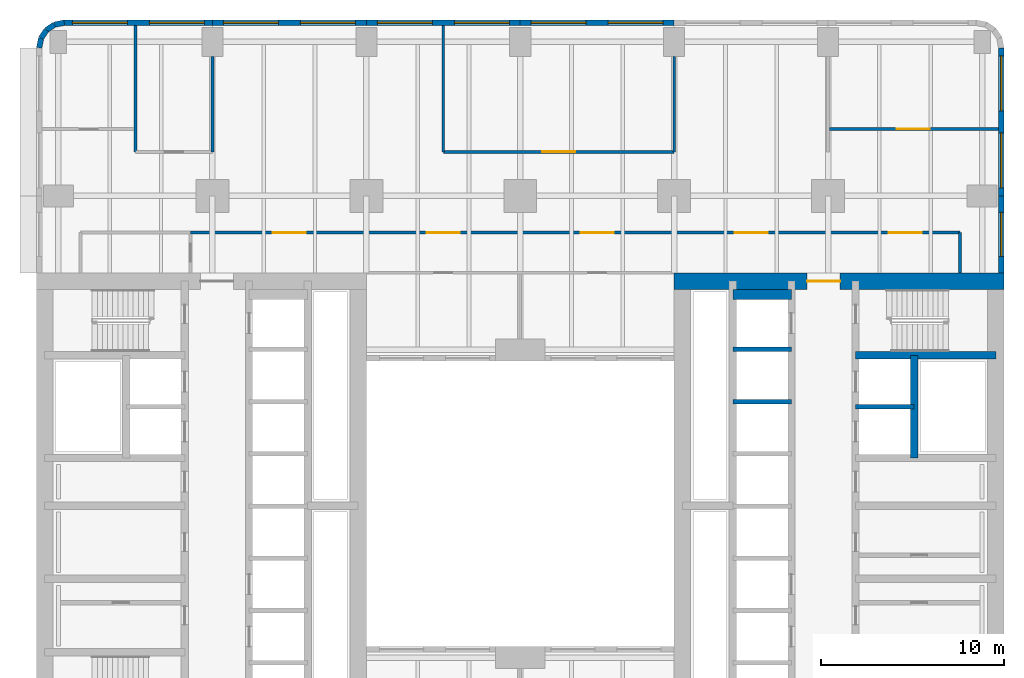
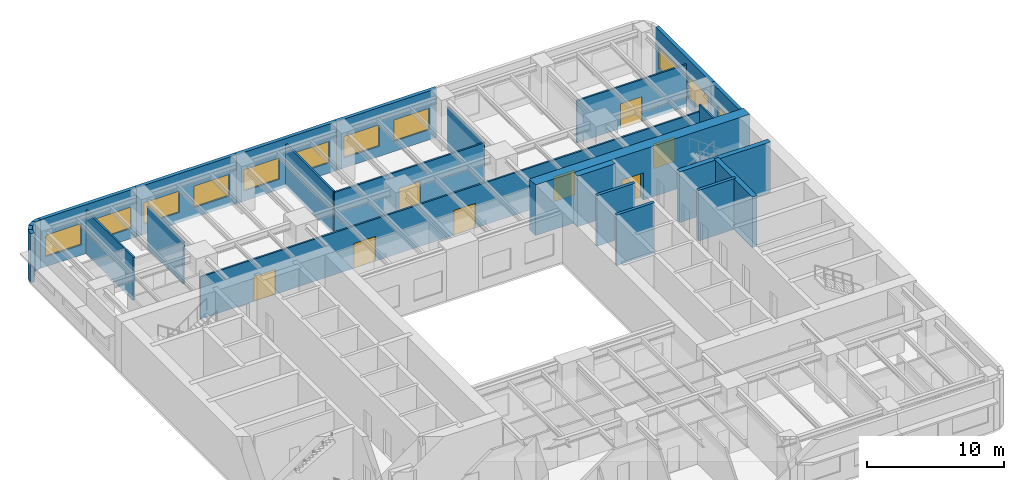
# One storey, part 7 of 14: 25 walls, 11 windows, 8 doors, 19 openings.
"""IFC4 building model written with IfcOpenShell, lengths in metres."""

from ifc_helpers import new_model, si_unit, direction, frame, frame_2d, origin, place, context, subcontext, project, spatial, rectangle, extrude, material, layer, layer_set, type_object, element, fill, save


model = new_model("IFC4")

# Units and contexts
model_context = context("Model", 3, precision=1e-05, world=origin(), true_north=direction((0.0, 1.0)))
body_context = subcontext(model_context, "Body", "Model", "MODEL_VIEW")
ifc_project = project(units=[si_unit("LENGTHUNIT", "METRE"), si_unit("AREAUNIT", "SQUARE_METRE"), si_unit("VOLUMEUNIT", "CUBIC_METRE"), si_unit("PLANEANGLEUNIT", "RADIAN"), si_unit("MASSUNIT", "GRAM", prefix="KILO")], contexts=[model_context])

# Site, building, storey
site_placement = place(None, origin())
site = spatial("IfcSite", under=ifc_project, at=site_placement, CompositionType="ELEMENT")
building_placement = place(site_placement, origin())
building = spatial("IfcBuilding", under=site, at=building_placement, Name="Claustro Exchange Tower", CompositionType="ELEMENT")
storey_placement = place(building_placement, frame((0.0, 0.0, 54.89990234375)))
storey = spatial("IfcBuildingStorey", under=building, at=storey_placement, Name="L12", CompositionType="ELEMENT", Elevation=54.89990234375)

# Walls
ifc_material_1 = material(Name="Gypsum board on steel studs", Category="steel")
ifc_layer_1 = layer(ifc_material_1, 0.14990234375)
ifc_layer_set_1 = layer_set([ifc_layer_1], Name="Gypsum board on steel studs")
wall_type_1 = type_object("IfcWallType", Name="P1 150 plasterboard partition", PredefinedType="PARTITIONING", material=ifc_layer_set_1)
wall_1_placement = place(storey_placement, frame((4.199951171875, 44.39990234375, 0.0), z_axis=(0.0, 0.0, 1.0), x_axis=(0.0, 1.0, 0.0)))
element("IfcWall", 1, at=wall_1_placement, inside=storey, type_object=wall_type_1, Name="Partition P1 L12", PredefinedType="PARTITIONING", context=body_context, shape_type="SweptSolid", body=[
    extrude(rectangle(XDim=6.902099609375, YDim=0.14990234375, at=frame_2d((3.451171875, 0.0))), origin(), (0.0, 0.0, 1.0), 3.840087890625),
])
wall_2_placement = place(storey_placement, frame((8.39990234375, 44.39990234375, 0.0), z_axis=(0.0, 0.0, 1.0), x_axis=(0.0, 1.0, 0.0)))
element("IfcWall", 2, at=wall_2_placement, inside=storey, type_object=wall_type_1, Name="Partition P1 L12", PredefinedType="PARTITIONING", context=body_context, shape_type="SweptSolid", body=[
    extrude(rectangle(XDim=5.201171875, YDim=0.14990234375, at=frame_2d((2.6005859375, 0.0))), origin(), (0.0, 0.0, 1.0), 3.739990234375),
])

# Wall, opening, door
wall_3_placement = place(storey_placement, frame((21.0, 44.39990234375, 0.0), z_axis=(0.0, 0.0, 1.0), x_axis=(1.0, 0.0, 0.0)))
wall_3 = element("IfcWall", 3, at=wall_3_placement, inside=storey, type_object=wall_type_1, Name="Partition P1 L12", PredefinedType="PARTITIONING", context=body_context, shape_type="SweptSolid", body=[
    extrude(rectangle(XDim=12.60009765625, YDim=0.14990234375, at=frame_2d((6.300048828125, 0.0))), origin(), (0.0, 0.0, 1.0), 3.739990234375),
])
opening_1_placement = place(wall_3_placement, frame((5.39990234375, 0.0, 0.0)))
opening_1 = element("IfcOpeningElement", 4, at=opening_1_placement, cuts=wall_3, Name="Opening D2", PredefinedType="OPENING", context=body_context, shape_type="SweptSolid", body=[
    extrude(rectangle(XDim=1.800048828125, YDim=2.199951171875, at=frame_2d((0.89990234375, 1.10009765625))), frame((0.0, 0.0849609375, 0.0), z_axis=(0.0, -1.0, 0.0), x_axis=(1.0, 0.0, 0.0)), (0.0, 0.0, 1.0), 0.169921875),
])
ifc_material_2 = material(Name="Timber door, oak veneer", Category="wood")
door_type_1 = type_object("IfcDoorType", Name="D2 1800 x 2200 double door", OperationType="DOUBLE_DOOR_SINGLE_SWING", PredefinedType="DOOR", material=ifc_material_2)
door_1_placement = place(opening_1_placement, frame((1.800048828125, 0.0, 0.0), z_axis=(0.0, 0.0, 1.0), x_axis=(-1.0, 0.0, 0.0)))
door_1 = element("IfcDoor", 5, at=door_1_placement, inside=storey, type_object=door_type_1, Name="Double door D2 L12", OperationType="DOUBLE_DOOR_SINGLE_SWING", OverallHeight=2.199951171875, OverallWidth=1.800048828125, PredefinedType="DOOR", context=body_context, shape_type="SweptSolid", body=[
    extrude(rectangle(XDim=1.800048828125, YDim=2.199951171875, at=frame_2d((0.89990234375, 1.10009765625))), frame((0.0, 0.02490234375, 0.0), z_axis=(0.0, -1.0, 0.0), x_axis=(1.0, 0.0, 0.0)), (0.0, 0.0, 1.0), 0.050048828125),
])
fill(opening_1, door_1)

# Walls
wall_4_placement = place(storey_placement, frame((21.0, 44.39990234375, 0.0), z_axis=(0.0, 0.0, 1.0), x_axis=(0.0, 1.0, 0.0)))
element("IfcWall", 6, at=wall_4_placement, inside=storey, type_object=wall_type_1, Name="Partition P1 L12", PredefinedType="PARTITIONING", context=body_context, shape_type="SweptSolid", body=[
    extrude(rectangle(XDim=6.902099609375, YDim=0.14990234375, at=frame_2d((3.451171875, 0.0))), origin(), (0.0, 0.0, 1.0), 3.840087890625),
])
wall_5_placement = place(storey_placement, frame((33.60009765625, 44.39990234375, 0.0), z_axis=(0.0, 0.0, 1.0), x_axis=(0.0, 1.0, 0.0)))
element("IfcWall", 7, at=wall_5_placement, inside=storey, type_object=wall_type_1, Name="Partition P1 L12", PredefinedType="PARTITIONING", context=body_context, shape_type="SweptSolid", body=[
    extrude(rectangle(XDim=5.201171875, YDim=0.14990234375, at=frame_2d((2.6005859375, 0.0))), origin(), (0.0, 0.0, 1.0), 3.739990234375),
])

# Wall, opening, door
wall_6_placement = place(storey_placement, frame((42.073974609375, 45.64990234375, 0.0), z_axis=(0.0, 0.0, 1.0), x_axis=(1.0, 0.0, 0.0)))
wall_6 = element("IfcWall", 8, at=wall_6_placement, inside=storey, type_object=wall_type_1, Name="Partition P1 L12", PredefinedType="PARTITIONING", context=body_context, shape_type="SweptSolid", body=[
    extrude(rectangle(XDim=9.22802734375, YDim=0.14990234375, at=frame_2d((4.614013671875, 0.0))), origin(), (0.0, 0.0, 1.0), 3.739990234375),
])
opening_2_placement = place(wall_6_placement, frame((3.676025390625, 0.0, 0.0)))
opening_2 = element("IfcOpeningElement", 9, at=opening_2_placement, cuts=wall_6, Name="Opening D2", PredefinedType="OPENING", context=body_context, shape_type="SweptSolid", body=[
    extrude(rectangle(XDim=1.800048828125, YDim=2.199951171875, at=frame_2d((0.89990234375, 1.10009765625))), frame((0.0, 0.0849609375, 0.0), z_axis=(0.0, -1.0, 0.0), x_axis=(1.0, 0.0, 0.0)), (0.0, 0.0, 1.0), 0.169921875),
])
door_2_placement = place(opening_2_placement, origin())
door_2 = element("IfcDoor", 10, at=door_2_placement, inside=storey, type_object=door_type_1, Name="Double door D2 L12", OperationType="DOUBLE_DOOR_SINGLE_SWING", OverallHeight=2.199951171875, OverallWidth=1.800048828125, PredefinedType="DOOR", context=body_context, shape_type="SweptSolid", body=[
    extrude(rectangle(XDim=1.800048828125, YDim=2.199951171875, at=frame_2d((0.89990234375, 1.10009765625))), frame((0.0, 0.02490234375, 0.0), z_axis=(0.0, -1.0, 0.0), x_axis=(1.0, 0.0, 0.0)), (0.0, 0.0, 1.0), 0.050048828125),
])
fill(opening_2, door_2)

# Wall, openings, doors
wall_7_placement = place(storey_placement, frame((7.197998046875, 40.0, 0.0), z_axis=(0.0, 0.0, 1.0), x_axis=(1.0, 0.0, 0.0)))
wall_7 = element("IfcWall", 11, at=wall_7_placement, inside=storey, type_object=wall_type_1, Name="Partition P1 L12", PredefinedType="PARTITIONING", context=body_context, shape_type="SweptSolid", body=[
    extrude(rectangle(XDim=42.001953125, YDim=0.14990234375, at=frame_2d((21.0009765625, 0.0))), origin(), (0.0, 0.0, 1.0), 3.739990234375),
])
opening_3_placement = place(wall_7_placement, frame((4.501953125, 0.0, 0.0)))
opening_3 = element("IfcOpeningElement", 12, at=opening_3_placement, cuts=wall_7, Name="Opening D2", PredefinedType="OPENING", context=body_context, shape_type="SweptSolid", body=[
    extrude(rectangle(XDim=1.800048828125, YDim=2.199951171875, at=frame_2d((0.89990234375, 1.10009765625))), frame((0.0, 0.0849609375, 0.0), z_axis=(0.0, -1.0, 0.0), x_axis=(1.0, 0.0, 0.0)), (0.0, 0.0, 1.0), 0.169921875),
])
opening_4_placement = place(wall_7_placement, frame((12.902099609375, 0.0, 0.0)))
opening_4 = element("IfcOpeningElement", 13, at=opening_4_placement, cuts=wall_7, Name="Opening D2", PredefinedType="OPENING", context=body_context, shape_type="SweptSolid", body=[
    extrude(rectangle(XDim=1.800048828125, YDim=2.199951171875, at=frame_2d((0.89990234375, 1.10009765625))), frame((0.0, 0.0849609375, 0.0), z_axis=(0.0, -1.0, 0.0), x_axis=(1.0, 0.0, 0.0)), (0.0, 0.0, 1.0), 0.169921875),
])
opening_5_placement = place(wall_7_placement, frame((21.302001953125, 0.0, 0.0)))
opening_5 = element("IfcOpeningElement", 14, at=opening_5_placement, cuts=wall_7, Name="Opening D2", PredefinedType="OPENING", context=body_context, shape_type="SweptSolid", body=[
    extrude(rectangle(XDim=1.800048828125, YDim=2.199951171875, at=frame_2d((0.89990234375, 1.10009765625))), frame((0.0, 0.0849609375, 0.0), z_axis=(0.0, -1.0, 0.0), x_axis=(1.0, 0.0, 0.0)), (0.0, 0.0, 1.0), 0.169921875),
])
opening_6_placement = place(wall_7_placement, frame((29.701904296875, 0.0, 0.0)))
opening_6 = element("IfcOpeningElement", 15, at=opening_6_placement, cuts=wall_7, Name="Opening D2", PredefinedType="OPENING", context=body_context, shape_type="SweptSolid", body=[
    extrude(rectangle(XDim=1.800048828125, YDim=2.199951171875, at=frame_2d((0.89990234375, 1.10009765625))), frame((0.0, 0.0849609375, 0.0), z_axis=(0.0, -1.0, 0.0), x_axis=(1.0, 0.0, 0.0)), (0.0, 0.0, 1.0), 0.169921875),
])
opening_7_placement = place(wall_7_placement, frame((38.10205078125, 0.0, 0.0)))
opening_7 = element("IfcOpeningElement", 16, at=opening_7_placement, cuts=wall_7, Name="Opening D2", PredefinedType="OPENING", context=body_context, shape_type="SweptSolid", body=[
    extrude(rectangle(XDim=1.800048828125, YDim=2.199951171875, at=frame_2d((0.89990234375, 1.10009765625))), frame((0.0, 0.0849609375, 0.0), z_axis=(0.0, -1.0, 0.0), x_axis=(1.0, 0.0, 0.0)), (0.0, 0.0, 1.0), 0.169921875),
])
door_3_placement = place(opening_3_placement, origin())
door_3 = element("IfcDoor", 17, at=door_3_placement, inside=storey, type_object=door_type_1, Name="Double door D2 L12", OperationType="DOUBLE_DOOR_SINGLE_SWING", OverallHeight=2.199951171875, OverallWidth=1.800048828125, PredefinedType="DOOR", context=body_context, shape_type="SweptSolid", body=[
    extrude(rectangle(XDim=1.800048828125, YDim=2.199951171875, at=frame_2d((0.89990234375, 1.10009765625))), frame((0.0, 0.02490234375, 0.0), z_axis=(0.0, -1.0, 0.0), x_axis=(1.0, 0.0, 0.0)), (0.0, 0.0, 1.0), 0.050048828125),
])
fill(opening_3, door_3)
door_4_placement = place(opening_4_placement, origin())
door_4 = element("IfcDoor", 18, at=door_4_placement, inside=storey, type_object=door_type_1, Name="Double door D2 L12", OperationType="DOUBLE_DOOR_SINGLE_SWING", OverallHeight=2.199951171875, OverallWidth=1.800048828125, PredefinedType="DOOR", context=body_context, shape_type="SweptSolid", body=[
    extrude(rectangle(XDim=1.800048828125, YDim=2.199951171875, at=frame_2d((0.89990234375, 1.10009765625))), frame((0.0, 0.02490234375, 0.0), z_axis=(0.0, -1.0, 0.0), x_axis=(1.0, 0.0, 0.0)), (0.0, 0.0, 1.0), 0.050048828125),
])
fill(opening_4, door_4)
door_5_placement = place(opening_5_placement, origin())
door_5 = element("IfcDoor", 19, at=door_5_placement, inside=storey, type_object=door_type_1, Name="Double door D2 L12", OperationType="DOUBLE_DOOR_SINGLE_SWING", OverallHeight=2.199951171875, OverallWidth=1.800048828125, PredefinedType="DOOR", context=body_context, shape_type="SweptSolid", body=[
    extrude(rectangle(XDim=1.800048828125, YDim=2.199951171875, at=frame_2d((0.89990234375, 1.10009765625))), frame((0.0, 0.02490234375, 0.0), z_axis=(0.0, -1.0, 0.0), x_axis=(1.0, 0.0, 0.0)), (0.0, 0.0, 1.0), 0.050048828125),
])
fill(opening_5, door_5)
door_6_placement = place(opening_6_placement, origin())
door_6 = element("IfcDoor", 20, at=door_6_placement, inside=storey, type_object=door_type_1, Name="Double door D2 L12", OperationType="DOUBLE_DOOR_SINGLE_SWING", OverallHeight=2.199951171875, OverallWidth=1.800048828125, PredefinedType="DOOR", context=body_context, shape_type="SweptSolid", body=[
    extrude(rectangle(XDim=1.800048828125, YDim=2.199951171875, at=frame_2d((0.89990234375, 1.10009765625))), frame((0.0, 0.02490234375, 0.0), z_axis=(0.0, -1.0, 0.0), x_axis=(1.0, 0.0, 0.0)), (0.0, 0.0, 1.0), 0.050048828125),
])
fill(opening_6, door_6)
door_7_placement = place(opening_7_placement, origin())
door_7 = element("IfcDoor", 21, at=door_7_placement, inside=storey, type_object=door_type_1, Name="Double door D2 L12", OperationType="DOUBLE_DOOR_SINGLE_SWING", OverallHeight=2.199951171875, OverallWidth=1.800048828125, PredefinedType="DOOR", context=body_context, shape_type="SweptSolid", body=[
    extrude(rectangle(XDim=1.800048828125, YDim=2.199951171875, at=frame_2d((0.89990234375, 1.10009765625))), frame((0.0, 0.02490234375, 0.0), z_axis=(0.0, -1.0, 0.0), x_axis=(1.0, 0.0, 0.0)), (0.0, 0.0, 1.0), 0.050048828125),
])
fill(opening_7, door_7)

# Walls
wall_8_placement = place(storey_placement, frame((49.199951171875, 37.800048828125, 0.0), z_axis=(0.0, 0.0, 1.0), x_axis=(0.0, 1.0, 0.0)))
element("IfcWall", 22, at=wall_8_placement, inside=storey, type_object=wall_type_1, Name="Partition P1 L12", PredefinedType="PARTITIONING", context=body_context, shape_type="SweptSolid", body=[
    extrude(rectangle(XDim=2.199951171875, YDim=0.14990234375, at=frame_2d((1.10009765625, 0.0))), origin(), (0.0, 0.0, 1.0), 4.340087890625),
])
ifc_material_3 = material(Name="Concrete HA-40 (C40/50), precast, white cement, acid-etched", Category="concrete")
ifc_layer_2 = layer(ifc_material_3, 0.300048828125)
ifc_layer_set_2 = layer_set([ifc_layer_2], Name="Concrete HA-40 (C40/50), precast, white cement, acid-etched")
wall_type_2 = type_object("IfcWallType", Name="PC1 300 precast concrete pier panel", PredefinedType="SOLIDWALL", material=ifc_layer_set_2)
wall_9_placement = place(storey_placement, frame((-1.050048828125, 50.085205078125, 0.0), z_axis=(0.0, 0.0, 1.0), x_axis=(0.195073962632, 0.980788534345, 0.0)))
element("IfcWall", 23, at=wall_9_placement, inside=storey, type_object=wall_type_2, Name="Precast pier panel PC1 L12", PredefinedType="SOLIDWALL", context=body_context, shape_type="SweptSolid", body=[
    extrude(rectangle(XDim=0.540771484375, YDim=0.300048828125, at=frame_2d((0.2705078125, 0.0))), origin(), (0.0, 0.0, 1.0), 4.340087890625),
])
for number, where, z_axis, x_axis, name in (
    (24, (-0.944580078125, 50.615478515625, 0.0), (0.0, 0.0, 1.0), (0.555557463938, 0.831478144188, 0.0), "Precast pier panel PC1 L12"),
    (25, (-0.652587890625, 51.052490234375, 0.0), (0.0, 0.0, 1.0), (0.831478144188, 0.555557463938, 0.0), "Precast pier panel PC1 L12"),
):
    element("IfcWall", number, at=place(storey_placement, frame(where, z_axis=z_axis, x_axis=x_axis)), inside=storey, type_object=wall_type_2, Name=name, PredefinedType="SOLIDWALL", context=body_context, shape_type="SweptSolid", body=[
        extrude(rectangle(XDim=0.525634765625, YDim=0.300048828125, at=frame_2d((0.2626953125, 0.0))), origin(), (0.0, 0.0, 1.0), 4.340087890625),
    ])
wall_10_placement = place(storey_placement, frame((-0.215576171875, 51.344482421875, 0.0), z_axis=(0.0, 0.0, 1.0), x_axis=(0.980788534345, 0.195073962632, 0.0)))
element("IfcWall", 26, at=wall_10_placement, inside=storey, type_object=wall_type_2, Name="Precast pier panel PC1 L12", PredefinedType="SOLIDWALL", context=body_context, shape_type="SweptSolid", body=[
    extrude(rectangle(XDim=0.540771484375, YDim=0.300048828125, at=frame_2d((0.2705078125, 0.0))), origin(), (0.0, 0.0, 1.0), 4.340087890625),
])

# Wall, openings, windows
wall_11_placement = place(storey_placement, frame((0.314697265625, 51.449951171875, 0.0), z_axis=(0.0, 0.0, 1.0), x_axis=(1.0, 0.0, 0.0)))
wall_11 = element("IfcWall", 27, at=wall_11_placement, inside=storey, type_object=wall_type_2, Name="Precast pier panel PC1 L12", PredefinedType="SOLIDWALL", context=body_context, shape_type="SweptSolid", body=[
    extrude(rectangle(XDim=8.085205078125, YDim=0.300048828125, at=frame_2d((4.04248046875, 0.0))), origin(), (0.0, 0.0, 1.0), 4.340087890625),
])
opening_8_placement = place(wall_11_placement, frame((0.442626953125, 0.0, 0.89990234375)))
opening_8 = element("IfcOpeningElement", 28, at=opening_8_placement, cuts=wall_11, Name="Opening W1", PredefinedType="OPENING", context=body_context, shape_type="SweptSolid", body=[
    extrude(rectangle(XDim=3.0, YDim=1.89990234375, at=frame_2d((1.5, 0.949951171875))), frame((0.0, 0.159912109375, 0.0), z_axis=(0.0, -1.0, 0.0), x_axis=(1.0, 0.0, 0.0)), (0.0, 0.0, 1.0), 0.320068359375),
])
opening_9_placement = place(wall_11_placement, frame((4.642578125, 0.0, 0.89990234375)))
opening_9 = element("IfcOpeningElement", 29, at=opening_9_placement, cuts=wall_11, Name="Opening W1", PredefinedType="OPENING", context=body_context, shape_type="SweptSolid", body=[
    extrude(rectangle(XDim=3.0, YDim=1.89990234375, at=frame_2d((1.5, 0.949951171875))), frame((0.0, 0.159912109375, 0.0), z_axis=(0.0, -1.0, 0.0), x_axis=(1.0, 0.0, 0.0)), (0.0, 0.0, 1.0), 0.320068359375),
])
ifc_material_4 = material(Name="Aluminium frame, clear double glazing", Category="aluminium")
window_type_1 = type_object("IfcWindowType", Name="W1 3000 x 1900 window", PartitioningType="SINGLE_PANEL", PredefinedType="WINDOW", material=ifc_material_4)
window_1_placement = place(opening_8_placement, origin())
window_1 = element("IfcWindow", 30, at=window_1_placement, inside=storey, type_object=window_type_1, Name="Window W1 L12", OverallHeight=1.89990234375, OverallWidth=3.0, PartitioningType="SINGLE_PANEL", PredefinedType="WINDOW", context=body_context, shape_type="SweptSolid", body=[
    extrude(rectangle(XDim=3.0, YDim=1.89990234375, at=frame_2d((1.5, 0.949951171875))), frame((0.0, 0.030029296875, 0.0), z_axis=(0.0, -1.0, 0.0), x_axis=(1.0, 0.0, 0.0)), (0.0, 0.0, 1.0), 0.06005859375),
])
fill(opening_8, window_1)
window_2_placement = place(opening_9_placement, origin())
window_2 = element("IfcWindow", 31, at=window_2_placement, inside=storey, type_object=window_type_1, Name="Window W1 L12", OverallHeight=1.89990234375, OverallWidth=3.0, PartitioningType="SINGLE_PANEL", PredefinedType="WINDOW", context=body_context, shape_type="SweptSolid", body=[
    extrude(rectangle(XDim=3.0, YDim=1.89990234375, at=frame_2d((1.5, 0.949951171875))), frame((0.0, 0.030029296875, 0.0), z_axis=(0.0, -1.0, 0.0), x_axis=(1.0, 0.0, 0.0)), (0.0, 0.0, 1.0), 0.06005859375),
])
fill(opening_9, window_2)

wall_12_placement = place(storey_placement, frame((8.39990234375, 51.449951171875, 0.0), z_axis=(0.0, 0.0, 1.0), x_axis=(1.0, 0.0, 0.0)))
wall_12 = element("IfcWall", 32, at=wall_12_placement, inside=storey, type_object=wall_type_2, Name="Precast pier panel PC1 L12", PredefinedType="SOLIDWALL", context=body_context, shape_type="SweptSolid", body=[
    extrude(rectangle(XDim=8.400146484375, YDim=0.300048828125, at=frame_2d((4.2001953125, 0.0))), origin(), (0.0, 0.0, 1.0), 4.340087890625),
])
opening_10_placement = place(wall_12_placement, frame((0.60009765625, 0.0, 0.89990234375)))
opening_10 = element("IfcOpeningElement", 33, at=opening_10_placement, cuts=wall_12, Name="Opening W1", PredefinedType="OPENING", context=body_context, shape_type="SweptSolid", body=[
    extrude(rectangle(XDim=3.0, YDim=1.89990234375, at=frame_2d((1.5, 0.949951171875))), frame((0.0, 0.159912109375, 0.0), z_axis=(0.0, -1.0, 0.0), x_axis=(1.0, 0.0, 0.0)), (0.0, 0.0, 1.0), 0.320068359375),
])
opening_11_placement = place(wall_12_placement, frame((4.800048828125, 0.0, 0.89990234375)))
opening_11 = element("IfcOpeningElement", 34, at=opening_11_placement, cuts=wall_12, Name="Opening W1", PredefinedType="OPENING", context=body_context, shape_type="SweptSolid", body=[
    extrude(rectangle(XDim=3.0, YDim=1.89990234375, at=frame_2d((1.5, 0.949951171875))), frame((0.0, 0.159912109375, 0.0), z_axis=(0.0, -1.0, 0.0), x_axis=(1.0, 0.0, 0.0)), (0.0, 0.0, 1.0), 0.320068359375),
])
window_3_placement = place(opening_10_placement, origin())
window_3 = element("IfcWindow", 35, at=window_3_placement, inside=storey, type_object=window_type_1, Name="Window W1 L12", OverallHeight=1.89990234375, OverallWidth=3.0, PartitioningType="SINGLE_PANEL", PredefinedType="WINDOW", context=body_context, shape_type="SweptSolid", body=[
    extrude(rectangle(XDim=3.0, YDim=1.89990234375, at=frame_2d((1.5, 0.949951171875))), frame((0.0, 0.030029296875, 0.0), z_axis=(0.0, -1.0, 0.0), x_axis=(1.0, 0.0, 0.0)), (0.0, 0.0, 1.0), 0.06005859375),
])
fill(opening_10, window_3)
window_4_placement = place(opening_11_placement, origin())
window_4 = element("IfcWindow", 36, at=window_4_placement, inside=storey, type_object=window_type_1, Name="Window W1 L12", OverallHeight=1.89990234375, OverallWidth=3.0, PartitioningType="SINGLE_PANEL", PredefinedType="WINDOW", context=body_context, shape_type="SweptSolid", body=[
    extrude(rectangle(XDim=3.0, YDim=1.89990234375, at=frame_2d((1.5, 0.949951171875))), frame((0.0, 0.030029296875, 0.0), z_axis=(0.0, -1.0, 0.0), x_axis=(1.0, 0.0, 0.0)), (0.0, 0.0, 1.0), 0.06005859375),
])
fill(opening_11, window_4)

wall_13_placement = place(storey_placement, frame((16.800048828125, 51.449951171875, 0.0), z_axis=(0.0, 0.0, 1.0), x_axis=(1.0, 0.0, 0.0)))
wall_13 = element("IfcWall", 37, at=wall_13_placement, inside=storey, type_object=wall_type_2, Name="Precast pier panel PC1 L12", PredefinedType="SOLIDWALL", context=body_context, shape_type="SweptSolid", body=[
    extrude(rectangle(XDim=8.39990234375, YDim=0.300048828125, at=frame_2d((4.199951171875, 0.0))), origin(), (0.0, 0.0, 1.0), 4.340087890625),
])
opening_12_placement = place(wall_13_placement, frame((0.60009765625, 0.0, 0.89990234375)))
opening_12 = element("IfcOpeningElement", 38, at=opening_12_placement, cuts=wall_13, Name="Opening W1", PredefinedType="OPENING", context=body_context, shape_type="SweptSolid", body=[
    extrude(rectangle(XDim=3.0, YDim=1.89990234375, at=frame_2d((1.5, 0.949951171875))), frame((0.0, 0.159912109375, 0.0), z_axis=(0.0, -1.0, 0.0), x_axis=(1.0, 0.0, 0.0)), (0.0, 0.0, 1.0), 0.320068359375),
])
opening_13_placement = place(wall_13_placement, frame((4.800048828125, 0.0, 0.89990234375)))
opening_13 = element("IfcOpeningElement", 39, at=opening_13_placement, cuts=wall_13, Name="Opening W1", PredefinedType="OPENING", context=body_context, shape_type="SweptSolid", body=[
    extrude(rectangle(XDim=3.0, YDim=1.89990234375, at=frame_2d((1.5, 0.949951171875))), frame((0.0, 0.159912109375, 0.0), z_axis=(0.0, -1.0, 0.0), x_axis=(1.0, 0.0, 0.0)), (0.0, 0.0, 1.0), 0.320068359375),
])
window_5_placement = place(opening_12_placement, origin())
window_5 = element("IfcWindow", 40, at=window_5_placement, inside=storey, type_object=window_type_1, Name="Window W1 L12", OverallHeight=1.89990234375, OverallWidth=3.0, PartitioningType="SINGLE_PANEL", PredefinedType="WINDOW", context=body_context, shape_type="SweptSolid", body=[
    extrude(rectangle(XDim=3.0, YDim=1.89990234375, at=frame_2d((1.5, 0.949951171875))), frame((0.0, 0.030029296875, 0.0), z_axis=(0.0, -1.0, 0.0), x_axis=(1.0, 0.0, 0.0)), (0.0, 0.0, 1.0), 0.06005859375),
])
fill(opening_12, window_5)
window_6_placement = place(opening_13_placement, origin())
window_6 = element("IfcWindow", 41, at=window_6_placement, inside=storey, type_object=window_type_1, Name="Window W1 L12", OverallHeight=1.89990234375, OverallWidth=3.0, PartitioningType="SINGLE_PANEL", PredefinedType="WINDOW", context=body_context, shape_type="SweptSolid", body=[
    extrude(rectangle(XDim=3.0, YDim=1.89990234375, at=frame_2d((1.5, 0.949951171875))), frame((0.0, 0.030029296875, 0.0), z_axis=(0.0, -1.0, 0.0), x_axis=(1.0, 0.0, 0.0)), (0.0, 0.0, 1.0), 0.06005859375),
])
fill(opening_13, window_6)

wall_14_placement = place(storey_placement, frame((25.199951171875, 51.449951171875, 0.0), z_axis=(0.0, 0.0, 1.0), x_axis=(1.0, 0.0, 0.0)))
wall_14 = element("IfcWall", 42, at=wall_14_placement, inside=storey, type_object=wall_type_2, Name="Precast pier panel PC1 L12", PredefinedType="SOLIDWALL", context=body_context, shape_type="SweptSolid", body=[
    extrude(rectangle(XDim=8.400146484375, YDim=0.300048828125, at=frame_2d((4.2001953125, 0.0))), origin(), (0.0, 0.0, 1.0), 4.340087890625),
])
opening_14_placement = place(wall_14_placement, frame((0.60009765625, 0.0, 0.89990234375)))
opening_14 = element("IfcOpeningElement", 43, at=opening_14_placement, cuts=wall_14, Name="Opening W1", PredefinedType="OPENING", context=body_context, shape_type="SweptSolid", body=[
    extrude(rectangle(XDim=3.0, YDim=1.89990234375, at=frame_2d((1.5, 0.949951171875))), frame((0.0, 0.159912109375, 0.0), z_axis=(0.0, -1.0, 0.0), x_axis=(1.0, 0.0, 0.0)), (0.0, 0.0, 1.0), 0.320068359375),
])
opening_15_placement = place(wall_14_placement, frame((4.800048828125, 0.0, 0.89990234375)))
opening_15 = element("IfcOpeningElement", 44, at=opening_15_placement, cuts=wall_14, Name="Opening W1", PredefinedType="OPENING", context=body_context, shape_type="SweptSolid", body=[
    extrude(rectangle(XDim=3.0, YDim=1.89990234375, at=frame_2d((1.5, 0.949951171875))), frame((0.0, 0.159912109375, 0.0), z_axis=(0.0, -1.0, 0.0), x_axis=(1.0, 0.0, 0.0)), (0.0, 0.0, 1.0), 0.320068359375),
])
window_7_placement = place(opening_14_placement, origin())
window_7 = element("IfcWindow", 45, at=window_7_placement, inside=storey, type_object=window_type_1, Name="Window W1 L12", OverallHeight=1.89990234375, OverallWidth=3.0, PartitioningType="SINGLE_PANEL", PredefinedType="WINDOW", context=body_context, shape_type="SweptSolid", body=[
    extrude(rectangle(XDim=3.0, YDim=1.89990234375, at=frame_2d((1.5, 0.949951171875))), frame((0.0, 0.030029296875, 0.0), z_axis=(0.0, -1.0, 0.0), x_axis=(1.0, 0.0, 0.0)), (0.0, 0.0, 1.0), 0.06005859375),
])
fill(opening_14, window_7)
window_8_placement = place(opening_15_placement, origin())
window_8 = element("IfcWindow", 46, at=window_8_placement, inside=storey, type_object=window_type_1, Name="Window W1 L12", OverallHeight=1.89990234375, OverallWidth=3.0, PartitioningType="SINGLE_PANEL", PredefinedType="WINDOW", context=body_context, shape_type="SweptSolid", body=[
    extrude(rectangle(XDim=3.0, YDim=1.89990234375, at=frame_2d((1.5, 0.949951171875))), frame((0.0, 0.030029296875, 0.0), z_axis=(0.0, -1.0, 0.0), x_axis=(1.0, 0.0, 0.0)), (0.0, 0.0, 1.0), 0.06005859375),
])
fill(opening_15, window_8)

wall_15_placement = place(storey_placement, frame((51.449951171875, 50.085205078125, 0.0), z_axis=(0.0, 0.0, 1.0), x_axis=(0.0, -1.0, 0.0)))
wall_15 = element("IfcWall", 47, at=wall_15_placement, inside=storey, type_object=wall_type_2, Name="Precast pier panel PC1 L12", PredefinedType="SOLIDWALL", context=body_context, shape_type="SweptSolid", body=[
    extrude(rectangle(XDim=8.085205078125, YDim=0.300048828125, at=frame_2d((4.04248046875, 0.0))), origin(), (0.0, 0.0, 1.0), 4.340087890625),
])
opening_16_placement = place(wall_15_placement, frame((0.442626953125, 0.0, 0.89990234375)))
opening_16 = element("IfcOpeningElement", 48, at=opening_16_placement, cuts=wall_15, Name="Opening W1", PredefinedType="OPENING", context=body_context, shape_type="SweptSolid", body=[
    extrude(rectangle(XDim=3.0, YDim=1.89990234375, at=frame_2d((1.5, 0.949951171875))), frame((0.0, 0.159912109375, 0.0), z_axis=(0.0, -1.0, 0.0), x_axis=(1.0, 0.0, 0.0)), (0.0, 0.0, 1.0), 0.320068359375),
])
opening_17_placement = place(wall_15_placement, frame((4.642578125, 0.0, 0.89990234375)))
opening_17 = element("IfcOpeningElement", 49, at=opening_17_placement, cuts=wall_15, Name="Opening W1", PredefinedType="OPENING", context=body_context, shape_type="SweptSolid", body=[
    extrude(rectangle(XDim=3.0, YDim=1.89990234375, at=frame_2d((1.5, 0.949951171875))), frame((0.0, 0.159912109375, 0.0), z_axis=(0.0, -1.0, 0.0), x_axis=(1.0, 0.0, 0.0)), (0.0, 0.0, 1.0), 0.320068359375),
])
window_9_placement = place(opening_16_placement, origin())
window_9 = element("IfcWindow", 50, at=window_9_placement, inside=storey, type_object=window_type_1, Name="Window W1 L12", OverallHeight=1.89990234375, OverallWidth=3.0, PartitioningType="SINGLE_PANEL", PredefinedType="WINDOW", context=body_context, shape_type="SweptSolid", body=[
    extrude(rectangle(XDim=3.0, YDim=1.89990234375, at=frame_2d((1.5, 0.949951171875))), frame((0.0, 0.030029296875, 0.0), z_axis=(0.0, -1.0, 0.0), x_axis=(1.0, 0.0, 0.0)), (0.0, 0.0, 1.0), 0.06005859375),
])
fill(opening_16, window_9)
window_10_placement = place(opening_17_placement, origin())
window_10 = element("IfcWindow", 51, at=window_10_placement, inside=storey, type_object=window_type_1, Name="Window W1 L12", OverallHeight=1.89990234375, OverallWidth=3.0, PartitioningType="SINGLE_PANEL", PredefinedType="WINDOW", context=body_context, shape_type="SweptSolid", body=[
    extrude(rectangle(XDim=3.0, YDim=1.89990234375, at=frame_2d((1.5, 0.949951171875))), frame((0.0, 0.030029296875, 0.0), z_axis=(0.0, -1.0, 0.0), x_axis=(1.0, 0.0, 0.0)), (0.0, 0.0, 1.0), 0.06005859375),
])
fill(opening_17, window_10)

# Wall, opening, window
wall_16_placement = place(storey_placement, frame((51.449951171875, 42.0, 0.0), z_axis=(0.0, 0.0, 1.0), x_axis=(0.0, -1.0, 0.0)))
wall_16 = element("IfcWall", 52, at=wall_16_placement, inside=storey, type_object=wall_type_2, Name="Precast pier panel PC1 L12", PredefinedType="SOLIDWALL", context=body_context, shape_type="SweptSolid", body=[
    extrude(rectangle(XDim=4.199951171875, YDim=0.300048828125, at=frame_2d((2.10009765625, 0.0))), origin(), (0.0, 0.0, 1.0), 4.340087890625),
])
opening_18_placement = place(wall_16_placement, frame((0.89990234375, 0.0, 0.89990234375)))
opening_18 = element("IfcOpeningElement", 53, at=opening_18_placement, cuts=wall_16, Name="Opening W2", PredefinedType="OPENING", context=body_context, shape_type="SweptSolid", body=[
    extrude(rectangle(XDim=2.39990234375, YDim=1.89990234375, at=frame_2d((1.199951171875, 0.949951171875))), frame((0.0, 0.159912109375, 0.0), z_axis=(0.0, -1.0, 0.0), x_axis=(1.0, 0.0, 0.0)), (0.0, 0.0, 1.0), 0.320068359375),
])
ifc_material_5 = material(Name="Aluminium frame, clear double glazing", Category="aluminium")
window_type_2 = type_object("IfcWindowType", Name="W2 2400 x 1900 window", PartitioningType="SINGLE_PANEL", PredefinedType="WINDOW", material=ifc_material_5)
window_11_placement = place(opening_18_placement, origin())
window_11 = element("IfcWindow", 54, at=window_11_placement, inside=storey, type_object=window_type_2, Name="Window W2 L12", OverallHeight=1.89990234375, OverallWidth=2.39990234375, PartitioningType="SINGLE_PANEL", PredefinedType="WINDOW", context=body_context, shape_type="SweptSolid", body=[
    extrude(rectangle(XDim=2.39990234375, YDim=1.89990234375, at=frame_2d((1.199951171875, 0.949951171875))), frame((0.0, 0.030029296875, 0.0), z_axis=(0.0, -1.0, 0.0), x_axis=(1.0, 0.0, 0.0)), (0.0, 0.0, 1.0), 0.06005859375),
])
fill(opening_18, window_11)

# Wall, opening, door
ifc_material_6 = material(Name="Concrete HA-70 (C70/85)", Category="concrete")
ifc_layer_3 = layer(ifc_material_6, 0.89990234375)
ifc_layer_set_3 = layer_set([ifc_layer_3], Name="Concrete HA-70 (C70/85)")
wall_type_3 = type_object("IfcWallType", Name="SW1 900 core shear wall", PredefinedType="SHEAR", material=ifc_layer_set_3)
wall_17_placement = place(storey_placement, frame((33.60009765625, 37.35009765625, 0.0), z_axis=(0.0, 0.0, 1.0), x_axis=(1.0, 0.0, 0.0)))
wall_17 = element("IfcWall", 55, at=wall_17_placement, inside=storey, type_object=wall_type_3, Name="Core wall SW1 E core N face L12", PredefinedType="SHEAR", context=body_context, shape_type="SweptSolid", body=[
    extrude(rectangle(XDim=18.0, YDim=0.89990234375, at=frame_2d((9.0, 0.0))), origin(), (0.0, 0.0, 1.0), 4.5),
])
opening_19_placement = place(wall_17_placement, frame((7.25, 0.0, 0.0)))
opening_19 = element("IfcOpeningElement", 56, at=opening_19_placement, cuts=wall_17, Name="Opening D3", PredefinedType="OPENING", context=body_context, shape_type="SweptSolid", body=[
    extrude(rectangle(XDim=1.800048828125, YDim=2.39990234375, at=frame_2d((0.89990234375, 1.199951171875))), frame((0.0, 0.4599609375, 0.0), z_axis=(0.0, -1.0, 0.0), x_axis=(1.0, 0.0, 0.0)), (0.0, 0.0, 1.0), 0.919921875),
])
ifc_material_7 = material(Name="Steel fire door, painted", Category="steel")
door_type_2 = type_object("IfcDoorType", Name="D3 1800 x 2400 fire-rated lobby double door", OperationType="DOUBLE_DOOR_SINGLE_SWING", PredefinedType="DOOR", material=ifc_material_7)
door_8_placement = place(opening_19_placement, frame((1.800048828125, 0.0, 0.0), z_axis=(0.0, 0.0, 1.0), x_axis=(-1.0, 0.0, 0.0)))
door_8 = element("IfcDoor", 57, at=door_8_placement, inside=storey, type_object=door_type_2, Name="Lift lobby door D3 L12", OperationType="DOUBLE_DOOR_SINGLE_SWING", OverallHeight=2.39990234375, OverallWidth=1.800048828125, PredefinedType="DOOR", context=body_context, shape_type="SweptSolid", body=[
    extrude(rectangle(XDim=1.800048828125, YDim=2.39990234375, at=frame_2d((0.89990234375, 1.199951171875))), frame((0.0, 0.02490234375, 0.0), z_axis=(0.0, -1.0, 0.0), x_axis=(1.0, 0.0, 0.0)), (0.0, 0.0, 1.0), 0.050048828125),
])
fill(opening_19, door_8)

# Walls
ifc_material_8 = material(Name="Concrete HA-50 (C50/60)", Category="concrete")
ifc_layer_4 = layer(ifc_material_8, 0.39990234375)
ifc_layer_set_4 = layer_set([ifc_layer_4], Name="Concrete HA-50 (C50/60)")
wall_type_4 = type_object("IfcWallType", Name="SW4 400 internal core wall", PredefinedType="SHEAR", material=ifc_layer_set_4)
wall_18_placement = place(storey_placement, frame((51.14990234375, 33.300048828125, 0.0), z_axis=(0.0, 0.0, 1.0), x_axis=(-1.0, 0.0, 0.0)))
element("IfcWall", 58, at=wall_18_placement, inside=storey, type_object=wall_type_4, Name="Internal core wall SW4 E core L12", PredefinedType="SHEAR", context=body_context, shape_type="SweptSolid", body=[
    extrude(rectangle(XDim=7.64990234375, YDim=0.39990234375, at=frame_2d((3.824951171875, 0.0))), origin(), (0.0, 0.0, 1.0), 4.5),
])
wall_19_placement = place(storey_placement, frame((46.699951171875, 27.699951171875, 0.0), z_axis=(0.0, 0.0, 1.0), x_axis=(0.0, 1.0, 0.0)))
element("IfcWall", 59, at=wall_19_placement, inside=storey, type_object=wall_type_4, Name="Internal core wall SW4 E core L12", PredefinedType="SHEAR", context=body_context, shape_type="SweptSolid", body=[
    extrude(rectangle(XDim=5.60009765625, YDim=0.39990234375, at=frame_2d((2.800048828125, 0.0))), origin(), (0.0, 0.0, 1.0), 4.5),
])
ifc_material_9 = material(Name="Concrete HA-50 (C50/60)", Category="concrete")
ifc_layer_5 = layer(ifc_material_9, 0.25)
ifc_layer_set_5 = layer_set([ifc_layer_5], Name="Concrete HA-50 (C50/60)")
wall_type_5 = type_object("IfcWallType", Name="SW5 250 lift shaft divider wall", PredefinedType="SHEAR", material=ifc_layer_set_5)
for number, where, z_axis, x_axis, name in (
    (60, (46.699951171875, 30.5, 0.0), (0.0, 0.0, 1.0), (-1.0, 0.0, 0.0), "Lift shaft wall E core L12"),
    (61, (40.0, 30.77490234375, 0.0), (0.0, 0.0, 1.0), (-1.0, 0.0, 0.0), "Lift shaft wall E core L12"),
    (62, (40.0, 33.625, 0.0), (0.0, 0.0, 1.0), (-1.0, 0.0, 0.0), "Lift shaft wall E core L12"),
):
    element("IfcWall", number, at=place(storey_placement, frame(where, z_axis=z_axis, x_axis=x_axis)), inside=storey, type_object=wall_type_5, Name=name, PredefinedType="SHEAR", context=body_context, shape_type="SweptSolid", body=[
        extrude(rectangle(XDim=3.199951171875, YDim=0.25, at=frame_2d((1.60009765625, 0.0))), origin(), (0.0, 0.0, 1.0), 4.5),
    ])
ifc_material_10 = material(Name="Concrete HA-50 (C50/60)", Category="concrete")
ifc_layer_6 = layer(ifc_material_10, 0.550048828125)
ifc_layer_set_6 = layer_set([ifc_layer_6], Name="Concrete HA-50 (C50/60)")
wall_type_6 = type_object("IfcWallType", Name="SW6 550 lift shaft end wall", PredefinedType="SHEAR", material=ifc_layer_set_6)
wall_20_placement = place(storey_placement, frame((40.0, 36.625, 0.0), z_axis=(0.0, 0.0, 1.0), x_axis=(-1.0, 0.0, 0.0)))
element("IfcWall", 63, at=wall_20_placement, inside=storey, type_object=wall_type_6, Name="Lift shaft wall E core L12", PredefinedType="SHEAR", context=body_context, shape_type="SweptSolid", body=[
    extrude(rectangle(XDim=3.199951171875, YDim=0.550048828125, at=frame_2d((1.60009765625, 0.0))), origin(), (0.0, 0.0, 1.0), 4.5),
])

save(model, "model.ifc")
